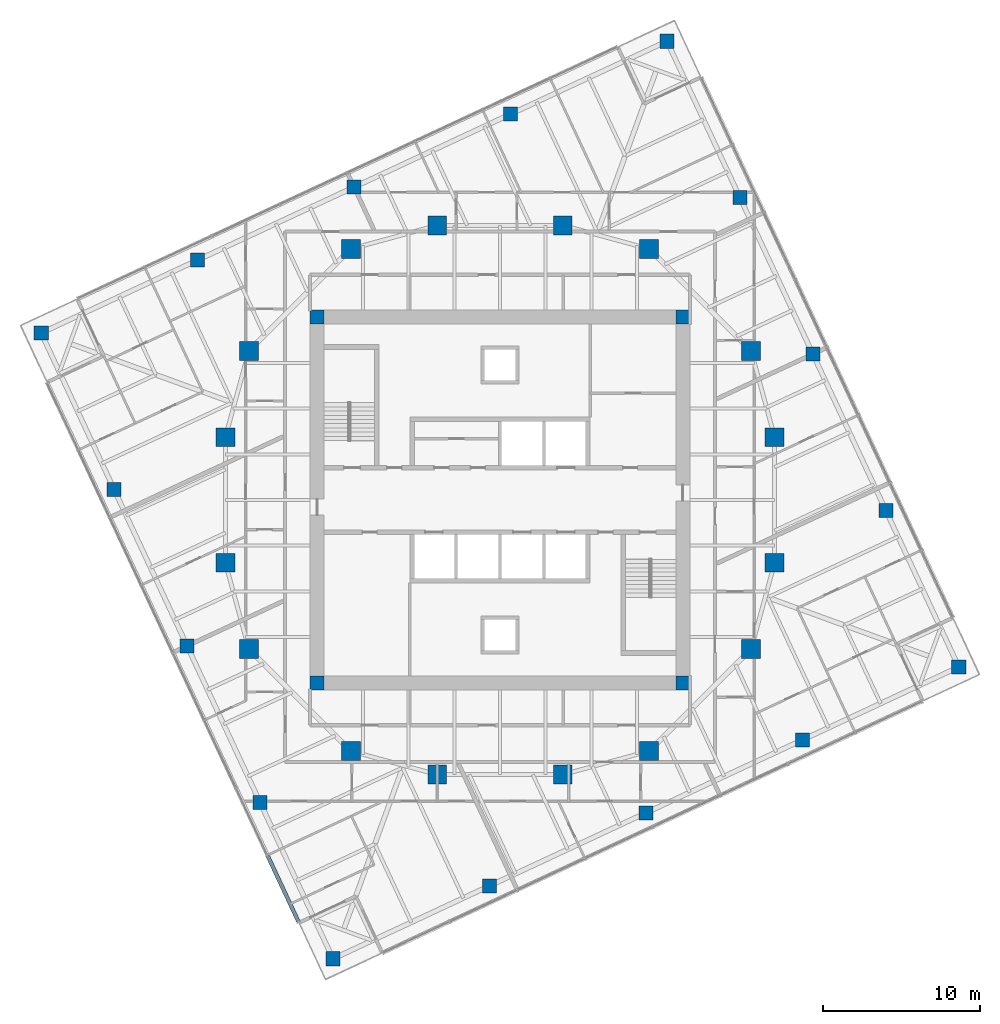
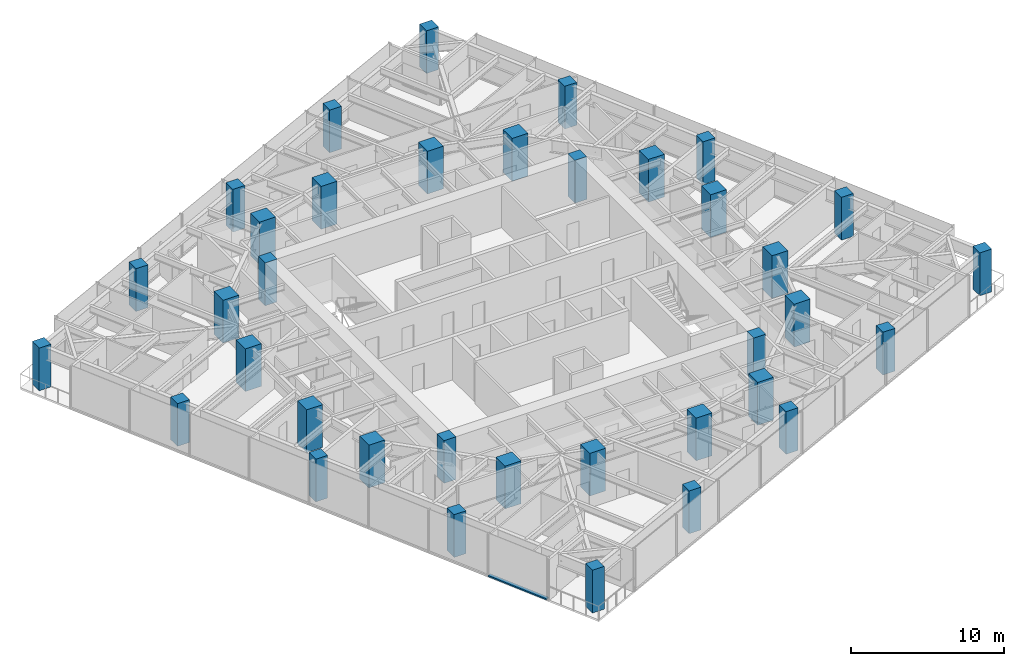
# One storey, part 1 of 12: 36 columns, 1 member, 1 element without a shape of its own.
"""IFC4 building model written with IfcOpenShell, lengths in metres."""

from ifc_helpers import new_model, si_unit, direction, frame, origin, origin_2d, place, context, subcontext, project, spatial, rectangle, extrude, material, material_profile, profile_set, type_object, element, aggregate, save


model = new_model("IFC4")

# Units and contexts
model_context = context("Model", 3, precision=1e-05, world=origin(), true_north=direction((0.0, 1.0)))
body_context = subcontext(model_context, "Body", "Model", "MODEL_VIEW")
ifc_project = project(units=[si_unit("LENGTHUNIT", "METRE"), si_unit("AREAUNIT", "SQUARE_METRE"), si_unit("VOLUMEUNIT", "CUBIC_METRE"), si_unit("PLANEANGLEUNIT", "RADIAN"), si_unit("MASSUNIT", "GRAM", prefix="KILO")], contexts=[model_context])

# Site, building, storey
site_placement = place(None, origin())
site = spatial("IfcSite", under=ifc_project, at=site_placement, CompositionType="ELEMENT")
building_placement = place(site_placement, origin())
building = spatial("IfcBuilding", under=site, at=building_placement, Name="Torsade Residences", CompositionType="ELEMENT")
storey_placement = place(building_placement, frame((0.0, 0.0, 193.0)))
storey = spatial("IfcBuildingStorey", under=building, at=storey_placement, Name="L53", CompositionType="ELEMENT", Elevation=193.0)

# Columns
ifc_material_1 = material(Name="Concrete 80 MPa", Category="concrete")
ifc_material_profile_1 = material_profile(ifc_material_1, rectangle(XDim=0.89990234375, YDim=0.89990234375, at=origin_2d()), Name="RC 900x900")
ifc_profile_set_1 = profile_set([ifc_material_profile_1], Name="Concrete 80 MPa")
column_type_1 = type_object("IfcColumnType", Name="CORE CORNER COLUMN RC 900x900", PredefinedType="COLUMN", material=ifc_profile_set_1)
for number, where, z_axis, x_axis, name in (
    (1, (28.35009765625, 18.35009765625, 0.0), (0.0, 0.0, 1.0), (1.0, 0.0, 0.0), "Core corner column CC1 L53"),
    (2, (51.64990234375, 18.35009765625, 0.0), (0.0, 0.0, 1.0), (1.0, 0.0, 0.0), "Core corner column CC2 L53"),
    (3, (51.64990234375, 41.64990234375, 0.0), (0.0, 0.0, 1.0), (1.0, 0.0, 0.0), "Core corner column CC3 L53"),
    (4, (28.35009765625, 41.64990234375, 0.0), (0.0, 0.0, 1.0), (1.0, 0.0, 0.0), "Core corner column CC4 L53"),
):
    element("IfcColumn", number, at=place(storey_placement, frame(where, z_axis=z_axis, x_axis=x_axis)), inside=storey, type_object=column_type_1, Name=name, PredefinedType="COLUMN", context=body_context, shape_type="SweptSolid", body=[
        extrude(rectangle(XDim=0.89990234375, YDim=0.89990234375, at=origin_2d()), origin(), (0.0, 0.0, 1.0), 3.39990234375),
    ])
ifc_material_2 = material(Name="Concrete 80 MPa", Category="concrete")
ifc_material_profile_2 = material_profile(ifc_material_2, rectangle(XDim=1.199951171875, YDim=1.199951171875, at=origin_2d()), Name="RC 1200x1200")
ifc_profile_set_2 = profile_set([ifc_material_profile_2], Name="Concrete 80 MPa")
column_type_2 = type_object("IfcColumnType", Name="INNER RING COLUMN RC 1200x1200", PredefinedType="COLUMN", material=ifc_profile_set_2)
for number, where, z_axis, x_axis, name in (
    (5, (57.5, 26.0, 0.0), (0.0, 0.0, 1.0), (1.0, 0.0, 0.0), "Inner ring column IR01 L53"),
    (6, (57.5, 34.0, 0.0), (0.0, 0.0, 1.0), (1.0, 0.0, 0.0), "Inner ring column IR02 L53"),
    (7, (56.0, 39.5, 0.0), (0.0, 0.0, 1.0), (1.0, 0.0, 0.0), "Inner ring column IR03 L53"),
    (8, (49.5, 46.0, 0.0), (0.0, 0.0, 1.0), (1.0, 0.0, 0.0), "Inner ring column IR04 L53"),
    (9, (44.0, 47.5, 0.0), (0.0, 0.0, 1.0), (1.0, 0.0, 0.0), "Inner ring column IR05 L53"),
    (10, (36.0, 47.5, 0.0), (0.0, 0.0, 1.0), (1.0, 0.0, 0.0), "Inner ring column IR06 L53"),
    (11, (30.5, 46.0, 0.0), (0.0, 0.0, 1.0), (1.0, 0.0, 0.0), "Inner ring column IR07 L53"),
    (12, (24.0, 39.5, 0.0), (0.0, 0.0, 1.0), (1.0, 0.0, 0.0), "Inner ring column IR08 L53"),
    (13, (22.5, 34.0, 0.0), (0.0, 0.0, 1.0), (1.0, 0.0, 0.0), "Inner ring column IR09 L53"),
    (14, (22.5, 26.0, 0.0), (0.0, 0.0, 1.0), (1.0, 0.0, 0.0), "Inner ring column IR10 L53"),
    (15, (24.0, 20.5, 0.0), (0.0, 0.0, 1.0), (1.0, 0.0, 0.0), "Inner ring column IR11 L53"),
    (16, (30.5, 14.0, 0.0), (0.0, 0.0, 1.0), (1.0, 0.0, 0.0), "Inner ring column IR12 L53"),
    (17, (36.0, 12.5, 0.0), (0.0, 0.0, 1.0), (1.0, 0.0, 0.0), "Inner ring column IR13 L53"),
    (18, (44.0, 12.5, 0.0), (0.0, 0.0, 1.0), (1.0, 0.0, 0.0), "Inner ring column IR14 L53"),
    (19, (49.5, 14.0, 0.0), (0.0, 0.0, 1.0), (1.0, 0.0, 0.0), "Inner ring column IR15 L53"),
    (20, (56.0, 20.5, 0.0), (0.0, 0.0, 1.0), (1.0, 0.0, 0.0), "Inner ring column IR16 L53"),
):
    element("IfcColumn", number, at=place(storey_placement, frame(where, z_axis=z_axis, x_axis=x_axis)), inside=storey, type_object=column_type_2, Name=name, PredefinedType="COLUMN", context=body_context, shape_type="SweptSolid", body=[
        extrude(rectangle(XDim=1.199951171875, YDim=1.199951171875, at=origin_2d()), origin(), (0.0, 0.0, 1.0), 3.39990234375),
    ])
ifc_material_3 = material(Name="Concrete 80 MPa", Category="concrete")
ifc_material_profile_3 = material_profile(ifc_material_3, rectangle(XDim=0.89990234375, YDim=0.89990234375, at=origin_2d()), Name="RC 900x900")
ifc_profile_set_3 = profile_set([ifc_material_profile_3], Name="Concrete 80 MPa")
column_type_3 = type_object("IfcColumnType", Name="TOWER COLUMN RC 900x900", PredefinedType="COLUMN", material=ifc_profile_set_3)
for number, where, z_axis, x_axis, name in (
    (21, (29.35888671875, 0.763671875, 0.0), (0.0, 0.0, 1.0), (1.0, 0.0, 0.0), "Column TC6-01 L53"),
    (22, (39.328125, 5.412353515625, 0.0), (0.0, 0.0, 1.0), (1.0, 0.0, 0.0), "Column TC6-02 L53"),
    (23, (49.297607421875, 10.061279296875, 0.0), (0.0, 0.0, 1.0), (1.0, 0.0, 0.0), "Column TC6-03 L53"),
    (24, (59.26708984375, 14.7099609375, 0.0), (0.0, 0.0, 1.0), (1.0, 0.0, 0.0), "Column TC6-04 L53"),
    (25, (69.236328125, 19.35888671875, 0.0), (0.0, 0.0, 1.0), (1.0, 0.0, 0.0), "Column TC6-05 L53"),
    (26, (64.587646484375, 29.328125, 0.0), (0.0, 0.0, 1.0), (1.0, 0.0, 0.0), "Column TC6-06 L53"),
    (27, (59.938720703125, 39.297607421875, 0.0), (0.0, 0.0, 1.0), (1.0, 0.0, 0.0), "Column TC6-07 L53"),
    (28, (55.2900390625, 49.26708984375, 0.0), (0.0, 0.0, 1.0), (1.0, 0.0, 0.0), "Column TC6-08 L53"),
    (29, (50.64111328125, 59.236328125, 0.0), (0.0, 0.0, 1.0), (1.0, 0.0, 0.0), "Column TC6-09 L53"),
    (30, (40.671875, 54.587646484375, 0.0), (0.0, 0.0, 1.0), (1.0, 0.0, 0.0), "Column TC6-10 L53"),
    (31, (30.702392578125, 49.938720703125, 0.0), (0.0, 0.0, 1.0), (1.0, 0.0, 0.0), "Column TC6-11 L53"),
    (32, (20.73291015625, 45.2900390625, 0.0), (0.0, 0.0, 1.0), (1.0, 0.0, 0.0), "Column TC6-12 L53"),
    (33, (10.763671875, 40.64111328125, 0.0), (0.0, 0.0, 1.0), (1.0, 0.0, 0.0), "Column TC6-13 L53"),
    (34, (15.412353515625, 30.671875, 0.0), (0.0, 0.0, 1.0), (1.0, 0.0, 0.0), "Column TC6-14 L53"),
    (35, (20.061279296875, 20.702392578125, 0.0), (0.0, 0.0, 1.0), (1.0, 0.0, 0.0), "Column TC6-15 L53"),
    (36, (24.7099609375, 10.73291015625, 0.0), (0.0, 0.0, 1.0), (1.0, 0.0, 0.0), "Column TC6-16 L53"),
):
    element("IfcColumn", number, at=place(storey_placement, frame(where, z_axis=z_axis, x_axis=x_axis)), inside=storey, type_object=column_type_3, Name=name, PredefinedType="COLUMN", context=body_context, shape_type="SweptSolid", body=[
        extrude(rectangle(XDim=0.89990234375, YDim=0.89990234375, at=origin_2d()), origin(), (0.0, 0.0, 1.0), 3.39990234375),
    ])

# Curtain wall, member
ifc_material_4 = material(Name="Aluminium and glass", Category="aluminium")
curtain_wall_type = type_object("IfcCurtainWallType", Name="FRITTED GLASS CURTAIN WALL MID ZONE", PredefinedType="NOTDEFINED", material=ifc_material_4)
curtain_wall_placement = place(storey_placement, origin())
curtain_wall = element("IfcCurtainWall", 37, at=curtain_wall_placement, inside=storey, type_object=curtain_wall_type, Name="Curtain wall L53 face 10", PredefinedType="NOTDEFINED")
ifc_material_5 = material(Name="Aluminium transom", Category="aluminium")
ifc_material_profile_4 = material_profile(ifc_material_5, rectangle(XDim=0.25, YDim=0.110107421875, at=origin_2d()), Name="MID ZONE CURTAIN WALL TRANSOM 250x110")
ifc_profile_set_4 = profile_set([ifc_material_profile_4], Name="Aluminium transom")
member_type = type_object("IfcMemberType", Name="MID ZONE CURTAIN WALL TRANSOM 250x110", PredefinedType="USERDEFINED", material=ifc_profile_set_4)
member_placement = place(storey_placement, frame((25.194091796875, 7.32861328125, 0.054931640625), z_axis=(0.422622764878, -0.906305687176, 0.0), x_axis=(0.906305687176, 0.422622764878, 0.0)))
member = element("IfcMember", 38, at=member_placement, type_object=member_type, Name="Transom 8.1", ObjectType="TRANSOM", PredefinedType="USERDEFINED", context=body_context, shape_type="SweptSolid", body=[
    extrude(rectangle(XDim=0.25, YDim=0.110107421875, at=origin_2d()), origin(), (0.0, 0.0, 1.0), 4.630126953125),
])
aggregate(curtain_wall, [member])

save(model, "model.ifc")
